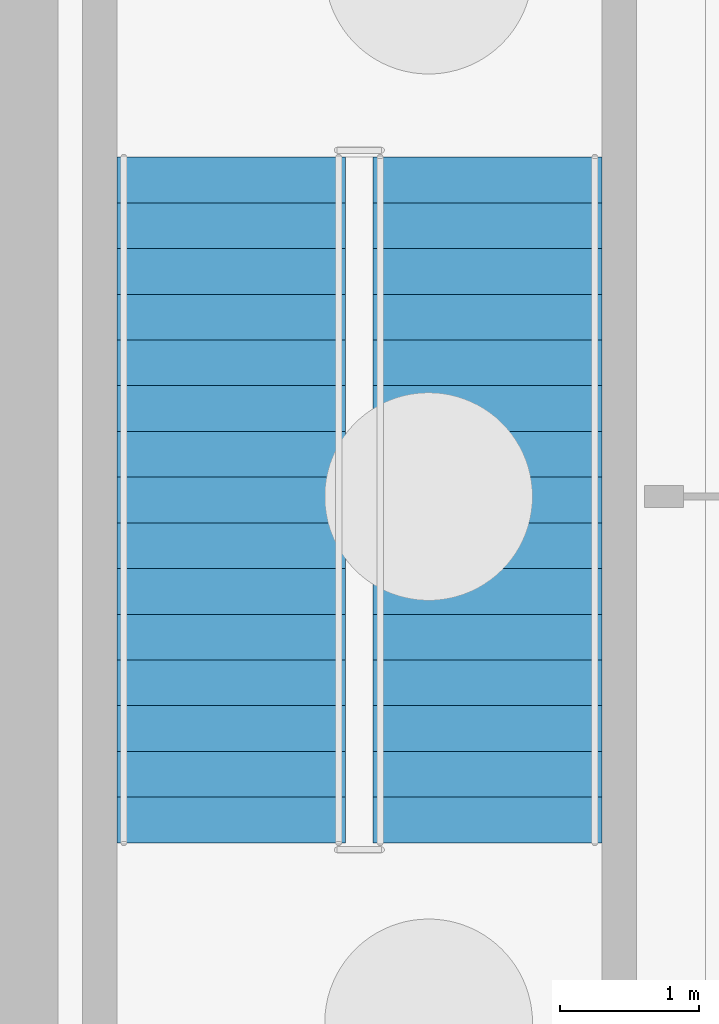
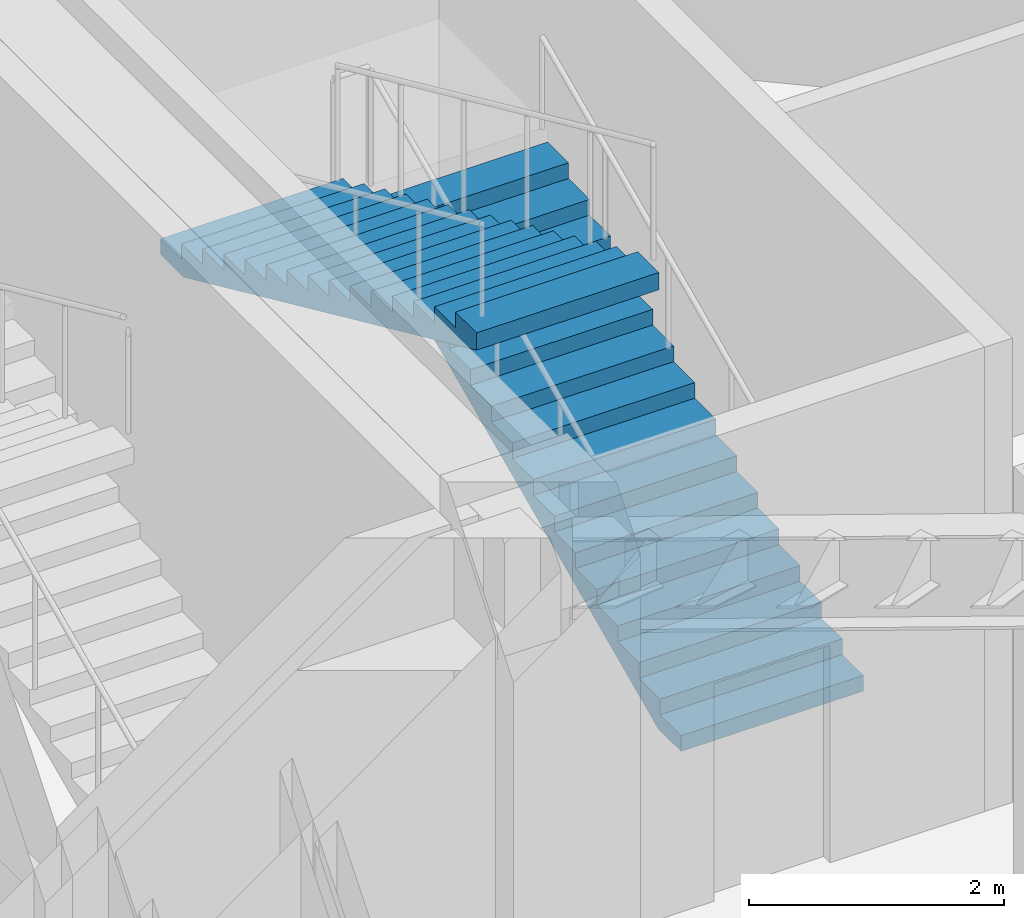
# One storey, part 5 of 7: 2 stair flights, 1 element without a shape of its own.
"""IFC4 building model written with IfcOpenShell, lengths in metres."""

from ifc_helpers import new_model, si_unit, direction, frame, origin, place, context, subcontext, project, spatial, polyline, outline, extrude, material, type_object, element, aggregate, save


model = new_model("IFC4")

# Units and contexts
model_context = context("Model", 3, precision=1e-05, world=origin(), true_north=direction((0.0, 1.0)))
body_context = subcontext(model_context, "Body", "Model", "MODEL_VIEW")
ifc_project = project(units=[si_unit("LENGTHUNIT", "METRE"), si_unit("AREAUNIT", "SQUARE_METRE"), si_unit("VOLUMEUNIT", "CUBIC_METRE"), si_unit("PLANEANGLEUNIT", "RADIAN"), si_unit("MASSUNIT", "GRAM", prefix="KILO")], contexts=[model_context])

# Site, building, storey
site_placement = place(None, origin())
site = spatial("IfcSite", under=ifc_project, at=site_placement, CompositionType="ELEMENT")
building_placement = place(site_placement, origin())
building = spatial("IfcBuilding", under=site, at=building_placement, Name="Menara Vayukalpa", CompositionType="ELEMENT")
storey_placement = place(building_placement, frame((0.0, 0.0, -9.60009765625)))
storey = spatial("IfcBuildingStorey", under=building, at=storey_placement, Name="B02", CompositionType="ELEMENT", Elevation=-9.60009765625)

# Stair, stair flights
ifc_material_1 = material(Name="Precast Concrete C40/50", Category="concrete")
stair_type = type_object("IfcStairType", Name="STR-T01", PredefinedType="DOUBLE_RETURN_STAIR", material=ifc_material_1)
stair_placement = place(storey_placement, origin())
stair = element("IfcStair", 1, at=stair_placement, inside=storey, type_object=stair_type, Name="B02 Podium Exit Stair ST-3", PredefinedType="DOUBLE_RETURN_STAIR")
ifc_material_2 = material(Name="Precast Concrete C40/50", Category="concrete")
stair_flight_type = type_object("IfcStairFlightType", Name="STF-T01", PredefinedType="STRAIGHT", material=ifc_material_2)
stair_flight_1_placement = place(storey_placement, frame((36.824951171875, 19.5, 0.0), z_axis=(0.0, 0.0, 1.0), x_axis=(0.0, 1.0, 0.0)))
stair_flight_1 = element("IfcStairFlight", 2, at=stair_flight_1_placement, type_object=stair_flight_type, Name="ST-3 flight 1", NumberOfRisers=16, NumberOfTreads=15, PredefinedType="STRAIGHT", RiserHeight=0.15, TreadLength=0.33, context=body_context, shape_type="SweptSolid", body=[
    extrude(outline(polyline([(0.0, 0.0), (0.0, 0.14990234375), (0.330078125, 0.14990234375), (0.330078125, 0.300048828125), (0.659912109375, 0.300048828125), (0.659912109375, 0.449951171875), (0.989990234375, 0.449951171875), (0.989990234375, 0.60009765625), (1.320068359375, 0.60009765625), (1.320068359375, 0.75), (1.64990234375, 0.75), (1.64990234375, 0.89990234375), (1.97998046875, 0.89990234375), (1.97998046875, 1.050048828125), (2.31005859375, 1.050048828125), (2.31005859375, 1.199951171875), (2.639892578125, 1.199951171875), (2.639892578125, 1.35009765625), (2.969970703125, 1.35009765625), (2.969970703125, 1.5), (3.300048828125, 1.5), (3.300048828125, 1.64990234375), (3.6298828125, 1.64990234375), (3.6298828125, 1.800048828125), (3.9599609375, 1.800048828125), (3.9599609375, 1.949951171875), (4.2900390625, 1.949951171875), (4.2900390625, 2.10009765625), (4.6201171875, 2.10009765625), (4.6201171875, 2.25), (4.949951171875, 2.25), (4.949951171875, 2.39990234375), (4.949951171875, 2.08544921875), (0.3623046875, 0.0), (0.0, 0.0)])), frame((0.0, 0.824951171875, 0.0), z_axis=(0.0, -1.0, 0.0), x_axis=(1.0, 0.0, 0.0)), (0.0, 0.0, 1.0), 1.64990234375),
])
stair_flight_2_placement = place(storey_placement, frame((34.97509765625, 24.449951171875, 2.400146484375), z_axis=(0.0, 0.0, 1.0), x_axis=(0.0, -1.0, 0.0)))
stair_flight_2 = element("IfcStairFlight", 3, at=stair_flight_2_placement, type_object=stair_flight_type, Name="ST-3 flight 2", NumberOfRisers=16, NumberOfTreads=15, PredefinedType="STRAIGHT", RiserHeight=0.15, TreadLength=0.33, context=body_context, shape_type="SweptSolid", body=[
    extrude(outline(polyline([(0.0, 0.0), (0.0, 0.14990234375), (0.330078125, 0.14990234375), (0.330078125, 0.300048828125), (0.659912109375, 0.300048828125), (0.659912109375, 0.449951171875), (0.989990234375, 0.449951171875), (0.989990234375, 0.60009765625), (1.320068359375, 0.60009765625), (1.320068359375, 0.75), (1.64990234375, 0.75), (1.64990234375, 0.89990234375), (1.97998046875, 0.89990234375), (1.97998046875, 1.050048828125), (2.31005859375, 1.050048828125), (2.31005859375, 1.199951171875), (2.639892578125, 1.199951171875), (2.639892578125, 1.35009765625), (2.969970703125, 1.35009765625), (2.969970703125, 1.5), (3.300048828125, 1.5), (3.300048828125, 1.64990234375), (3.6298828125, 1.64990234375), (3.6298828125, 1.800048828125), (3.9599609375, 1.800048828125), (3.9599609375, 1.949951171875), (4.2900390625, 1.949951171875), (4.2900390625, 2.10009765625), (4.6201171875, 2.10009765625), (4.6201171875, 2.25), (4.949951171875, 2.25), (4.949951171875, 2.39990234375), (4.949951171875, 2.08544921875), (0.3623046875, 0.0), (0.0, 0.0)])), frame((0.0, 0.824951171875, 0.0), z_axis=(0.0, -1.0, 0.0), x_axis=(1.0, 0.0, 0.0)), (0.0, 0.0, 1.0), 1.64990234375),
])
aggregate(stair, [stair_flight_1, stair_flight_2])

save(model, "model.ifc")
